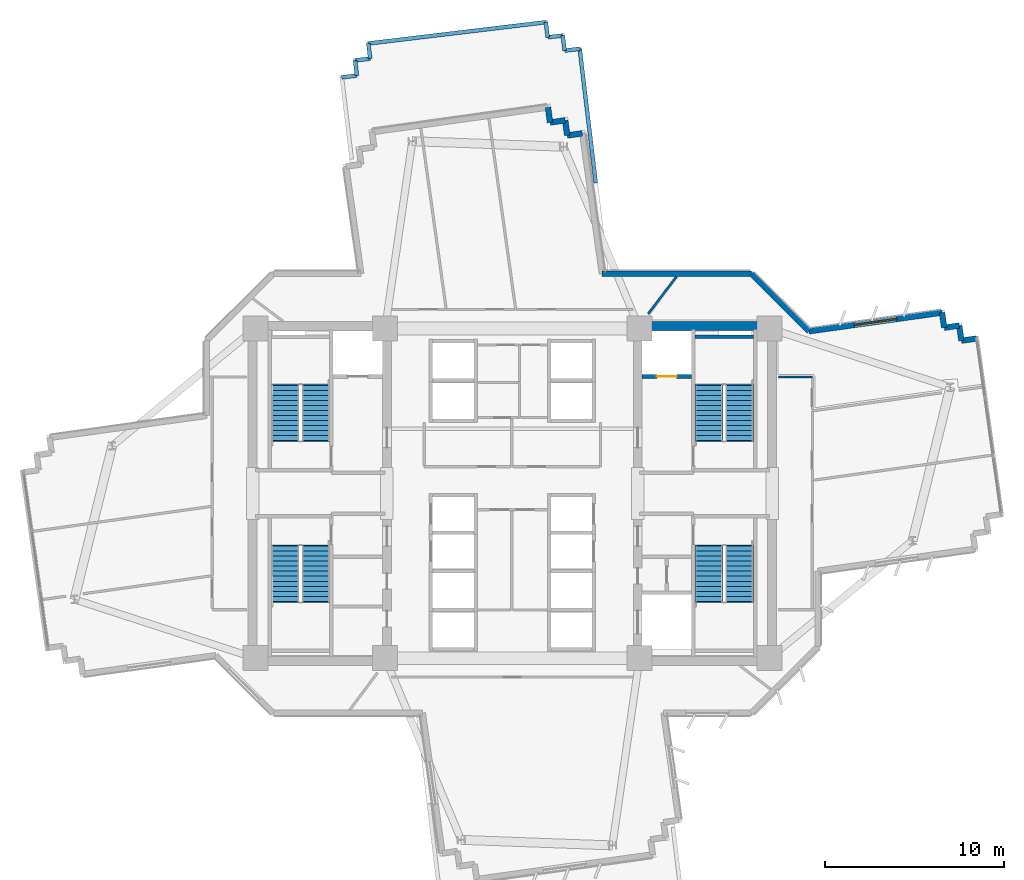
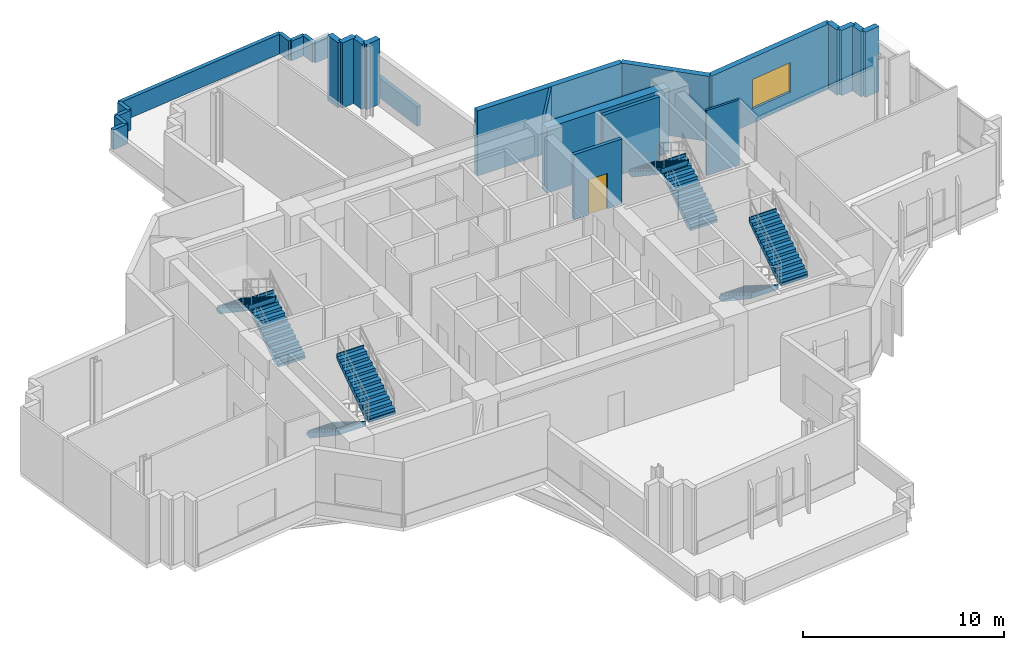
# One storey, part 10 of 13: 26 walls, 8 stair flights, 1 door, 1 window, 2 openings, 4 elements without a shape of their own.
"""IFC4 building model written with IfcOpenShell, lengths in metres."""

import ifcopenshell
import ifcopenshell.guid

model = None  # the IFC model being written
_history = None  # IfcOwnerHistory: only IFC2X3 demands one
_inside = {}  # id of a spatial element -> (the spatial element, [elements in it])
_under = {}  # id of a project, library or spatial element -> (it, [spatial elements below it])
_declared = {}  # id of a project -> (the project, [libraries it declares])
_typed = {}  # id of a type object -> (the type object, [elements of that type])
_made_of = {}  # id of a material, layer set ... -> (it, [elements and type objects made of it])


def new_model(schema):
    """Start an empty IFC model of exactly this schema.

    Asked for "IFC4X3", IfcOpenShell would pick the latest addendum, in which some entities
    have other attributes; the version numbers below select the first issue.
    IFC2X3 requires an IfcOwnerHistory on every rooted entity: one is made here for all.
    """
    global model, _history
    if schema == "IFC4X3":
        model = ifcopenshell.file(schema_version=(4, 3, 0, 0))
    else:
        model = ifcopenshell.file(schema=schema)
    _inside.clear()
    _under.clear()
    _declared.clear()
    _typed.clear()
    _made_of.clear()
    _history = None
    if model.schema == "IFC2X3":
        org = make("IfcOrganization", Name="unknown")
        user = make(
            "IfcPersonAndOrganization",
            ThePerson=make("IfcPerson", FamilyName="unknown"),
            TheOrganization=org,
        )
        app = make(
            "IfcApplication",
            ApplicationDeveloper=org,
            Version="unknown",
            ApplicationFullName="unknown",
            ApplicationIdentifier="unknown",
        )
        _history = make(
            "IfcOwnerHistory",
            OwningUser=user,
            OwningApplication=app,
            ChangeAction="ADDED",
            CreationDate=0,
        )
    return model


def make(cls, **values):
    """One entity of the class cls with the attributes given. An attribute that is None is left unset."""
    return model.create_entity(
        cls, **{name: value for name, value in values.items() if value is not None}
    )


def rooted(cls, **values):
    """An entity with a GlobalId (a new one), such as an element, a storey or a relation."""
    return make(cls, GlobalId=ifcopenshell.guid.new(), OwnerHistory=_history, **values)


def si_unit(unit_type, name, prefix=None):
    """IfcSIUnit, for example si_unit("LENGTHUNIT", "METRE", prefix="MILLI")."""
    return make("IfcSIUnit", UnitType=unit_type, Prefix=prefix, Name=name)


def assignment(units):
    """IfcUnitAssignment: the units of a project."""
    return None if units is None else make("IfcUnitAssignment", Units=units)


def point(xyz):
    """IfcCartesianPoint."""
    return None if xyz is None else make("IfcCartesianPoint", Coordinates=xyz)


def direction(xyz):
    """IfcDirection."""
    return None if xyz is None else make("IfcDirection", DirectionRatios=xyz)


def frame(location, z_axis=None, x_axis=None):
    """IfcAxis2Placement3D, a coordinate frame: its origin and axes. An axis left out is left unset."""
    return make(
        "IfcAxis2Placement3D",
        Location=point(location),
        Axis=direction(z_axis),
        RefDirection=direction(x_axis),
    )


def frame_2d(location, x_axis=None):
    """IfcAxis2Placement2D, a coordinate frame in the plane: its origin and x axis."""
    return make(
        "IfcAxis2Placement2D", Location=point(location), RefDirection=direction(x_axis)
    )


def origin():
    """The frame at (0, 0, 0) with its axes left unset."""
    return frame((0.0, 0.0, 0.0))


def place(relative_to, where):
    """IfcLocalPlacement: puts the frame where relative to a parent placement (None: the world)."""
    return make(
        "IfcLocalPlacement", PlacementRelTo=relative_to, RelativePlacement=where
    )


def context(
    kind, dimensions, precision=None, world=None, true_north=None, identifier=None
):
    """IfcGeometricRepresentationContext, for example the 3D "Model" context."""
    return make(
        "IfcGeometricRepresentationContext",
        ContextIdentifier=identifier,
        ContextType=kind,
        CoordinateSpaceDimension=dimensions,
        Precision=precision,
        WorldCoordinateSystem=world,
        TrueNorth=true_north,
    )


def subcontext(parent, identifier, kind, view, scale=None):
    """IfcGeometricRepresentationSubContext, for example "Body" below "Model"."""
    return make(
        "IfcGeometricRepresentationSubContext",
        ContextIdentifier=identifier,
        ContextType=kind,
        ParentContext=parent,
        TargetScale=scale,
        TargetView=view,
    )


def project(units=None, contexts=None):
    """IfcProject with its units and contexts."""
    return rooted(
        "IfcProject",
        Name="project",
        RepresentationContexts=contexts,
        UnitsInContext=assignment(units),
    )


def spatial(cls, under=None, at=None, **own):
    """A site, building, storey or space (cls), placed at a placement, below another one or the project."""
    s = rooted(cls, ObjectPlacement=at, **own)
    if under is not None:
        _under.setdefault(under.id(), (under, []))[1].append(s)
    return s


def polyline(points):
    """IfcPolyline through the points."""
    return make("IfcPolyline", Points=[point(p) for p in points])


def profile(cls, at=None, kind="AREA", **sizes):
    """A parametric profile (cls). Its sizes go by their IFC names, for example OverallWidth=200.0."""
    return make(cls, ProfileType=kind, Position=at, **sizes)


def rectangle(**sizes):
    """IfcRectangleProfileDef."""
    return profile("IfcRectangleProfileDef", **sizes)


def outline(outer, holes=None, kind="AREA"):
    """IfcArbitraryClosedProfileDef: a profile drawn as a closed curve; with holes, ...WithVoids."""
    if holes is None:
        return make("IfcArbitraryClosedProfileDef", ProfileType=kind, OuterCurve=outer)
    return make(
        "IfcArbitraryProfileDefWithVoids",
        ProfileType=kind,
        OuterCurve=outer,
        InnerCurves=holes,
    )


def extrude(swept, where, along, depth):
    """IfcExtrudedAreaSolid: the profile swept, set in the frame where, extruded along a direction by depth."""
    return make(
        "IfcExtrudedAreaSolid",
        SweptArea=swept,
        Position=where,
        ExtrudedDirection=direction(along),
        Depth=depth,
    )


def shape(context_of_items, identifier, shape_type, items):
    """IfcShapeRepresentation: the items that make up one representation, for example the "Body"."""
    return make(
        "IfcShapeRepresentation",
        ContextOfItems=context_of_items,
        RepresentationIdentifier=identifier,
        RepresentationType=shape_type,
        Items=items,
    )


def source(mapping_origin, context_of_items, identifier, shape_type, items):
    """IfcRepresentationMap: a shape defined once, which mapped items show again and again."""
    return make(
        "IfcRepresentationMap",
        MappingOrigin=mapping_origin,
        MappedRepresentation=shape(context_of_items, identifier, shape_type, items),
    )


def transform(
    local_origin,
    x_axis=None,
    y_axis=None,
    z_axis=None,
    scale=None,
    scale2=None,
    scale3=None,
    uniform=True,
):
    """IfcCartesianTransformationOperator3D, or its non-uniform kind. x_axis, y_axis, z_axis: its Axis1, 2, 3."""
    if uniform:
        return make(
            "IfcCartesianTransformationOperator3D",
            Axis1=direction(x_axis),
            Axis2=direction(y_axis),
            LocalOrigin=point(local_origin),
            Scale=scale,
            Axis3=direction(z_axis),
        )
    return make(
        "IfcCartesianTransformationOperator3DnonUniform",
        Axis1=direction(x_axis),
        Axis2=direction(y_axis),
        LocalOrigin=point(local_origin),
        Scale=scale,
        Axis3=direction(z_axis),
        Scale2=scale2,
        Scale3=scale3,
    )


def mapped(mapping_source, mapping_target):
    """IfcMappedItem: shows the shape of a source again, moved by a transform."""
    return make(
        "IfcMappedItem", MappingSource=mapping_source, MappingTarget=mapping_target
    )


def material(Name=None, Category=None):
    """IfcMaterial."""
    return make("IfcMaterial", Name=Name, Category=Category)


def layer(
    of_material, thickness, ventilated=None, Name=None, Category=None, Priority=None
):
    """IfcMaterialLayer: one layer of a wall or slab, of a material (None: an air gap)."""
    return make(
        "IfcMaterialLayer",
        Material=of_material,
        LayerThickness=thickness,
        IsVentilated=ventilated,
        Name=Name,
        Category=Category,
        Priority=Priority,
    )


def layer_set(layers, Name=None):
    """IfcMaterialLayerSet."""
    return make("IfcMaterialLayerSet", MaterialLayers=layers, LayerSetName=Name)


def made_of(thing, what):
    """Note that an element or type object is made of a material, layer set ...; save() writes the relation."""
    if what is not None:
        _made_of.setdefault(what.id(), (what, []))[1].append(thing)
    return thing


def type_object(cls, material=None, **own):
    """A type object (cls), such as IfcWallType, which elements share."""
    return made_of(rooted(cls, **own), material)


def element(
    cls,
    number,
    at=None,
    inside=None,
    cuts=None,
    type_object=None,
    material=None,
    context=None,
    identifier="Body",
    shape_type=None,
    held_by="IfcProductDefinitionShape",
    body=None,
    shapes=None,
    **own,
):
    """One element of the class cls, such as IfcWall. Its Tag is "e" and its number.

    at: its placement. inside: the storey or other place that contains it. cuts: it is an
    opening in that element (IfcRelVoidsElement). A single representation is given by context,
    identifier, shape_type and body (its items); several are given by shapes. held_by: the class
    of the entity that holds the representations. save() writes the other relations.
    """
    e = rooted(cls, Tag="e%d" % number, ObjectPlacement=at, **own)
    if body is not None:
        shapes = [shape(context, identifier, shape_type, body)]
    if shapes is not None:
        e.Representation = make(held_by, Representations=shapes)
    if inside is not None:
        _inside.setdefault(inside.id(), (inside, []))[1].append(e)
    if cuts is not None:
        rooted(
            "IfcRelVoidsElement", RelatingBuildingElement=cuts, RelatedOpeningElement=e
        )
    if type_object is not None:
        _typed.setdefault(type_object.id(), (type_object, []))[1].append(e)
    return made_of(e, material)


def fill(opening, filler):
    """IfcRelFillsElement: the door or window that sits in an opening."""
    return rooted(
        "IfcRelFillsElement",
        RelatingOpeningElement=opening,
        RelatedBuildingElement=filler,
    )


def aggregate(whole, parts):
    """IfcRelAggregates: a whole, such as a stair, and the parts it consists of."""
    return rooted("IfcRelAggregates", RelatingObject=whole, RelatedObjects=parts)


def save(model, path):
    """Write the relations noted so far, then the file.

    IfcRelAggregates (storeys below a building ...), IfcRelContainedInSpatialStructure (elements
    in a storey), IfcRelDefinesByType, IfcRelAssociatesMaterial and IfcRelDeclares: one each for
    every whole, place, type object, material and project.
    """
    for whole, parts in _under.values():
        aggregate(whole, parts)
    for where, things in _inside.values():
        rooted(
            "IfcRelContainedInSpatialStructure",
            RelatedElements=things,
            RelatingStructure=where,
        )
    for kind, things in _typed.values():
        rooted("IfcRelDefinesByType", RelatedObjects=things, RelatingType=kind)
    for what, things in _made_of.values():
        rooted("IfcRelAssociatesMaterial", RelatedObjects=things, RelatingMaterial=what)
    for by, libraries in _declared.values():
        rooted("IfcRelDeclares", RelatingContext=by, RelatedDefinitions=libraries)
    model.write(path)


model = new_model("IFC4")

# Units and contexts
model_context = context("Model", 3, precision=1e-05, world=origin(), true_north=direction((0.0, 1.0)))
body_context = subcontext(model_context, "Body", "Model", "MODEL_VIEW")
ifc_project = project(units=[si_unit("LENGTHUNIT", "METRE"), si_unit("AREAUNIT", "SQUARE_METRE"), si_unit("VOLUMEUNIT", "CUBIC_METRE"), si_unit("PLANEANGLEUNIT", "RADIAN"), si_unit("MASSUNIT", "GRAM", prefix="KILO")], contexts=[model_context])

# Site, building, storey
site_placement = place(None, origin())
site = spatial("IfcSite", under=ifc_project, at=site_placement, CompositionType="ELEMENT")
building_placement = place(site_placement, origin())
building = spatial("IfcBuilding", under=site, at=building_placement, Name="Zahravan Cultural Tower", CompositionType="ELEMENT")
storey_placement = place(building_placement, frame((0.0, 0.0, 117.300048828125)))
storey = spatial("IfcBuildingStorey", under=building, at=storey_placement, Name="L26", CompositionType="ELEMENT", Elevation=117.300048828125)

# Wall, opening, window
ifc_material_1 = material(Name="Precast concrete C40/50", Category="concrete")
ifc_layer_1 = layer(ifc_material_1, 0.320068359375)
ifc_layer_set_1 = layer_set([ifc_layer_1], Name="Precast concrete C40/50")
wall_type_1 = type_object("IfcWallType", Name="EW-TC-320", PredefinedType="SOLIDWALL", material=ifc_layer_set_1)
wall_1_placement = place(storey_placement, frame((52.555908203125, 36.046142578125, 0.0), z_axis=(0.0, 0.0, 1.0), x_axis=(0.990319321248, 0.138807931917, 0.0)))
wall_1 = element("IfcWall", 1, at=wall_1_placement, inside=storey, type_object=wall_type_1, Name="L26 Exterior Masonry Frame Wall 01", PredefinedType="SOLIDWALL", context=body_context, shape_type="SweptSolid", body=[
    extrude(rectangle(XDim=7.508544921875, YDim=0.320068359375, at=frame_2d((3.75439453125, 0.0))), origin(), (0.0, 0.0, 1.0), 3.949951171875),
])
opening_1_placement = place(wall_1_placement, frame((2.553955078125, 0.0, 0.85009765625)))
opening_1 = element("IfcOpeningElement", 2, at=opening_1_placement, cuts=wall_1, Name="Opening WN-01", PredefinedType="OPENING", context=body_context, shape_type="SweptSolid", body=[
    extrude(rectangle(XDim=2.39990234375, YDim=1.800048828125, at=frame_2d((1.199951171875, 0.89990234375))), frame((0.0, 0.169921875, 0.0), z_axis=(0.0, -1.0, 0.0), x_axis=(1.0, 0.0, 0.0)), (0.0, 0.0, 1.0), 0.340087890625),
])
ifc_material_2 = material(Name="Low-E solar-control double glazing", Category="glass")
window_type = type_object("IfcWindowType", Name="WN-REC-2400X1800", PartitioningType="DOUBLE_PANEL_VERTICAL", PredefinedType="WINDOW", material=ifc_material_2)
shared_shape_1 = source(origin(), body_context, "Body", "SweptSolid", [
    extrude(rectangle(XDim=2.39990234375, YDim=1.800048828125, at=frame_2d((1.199951171875, 0.89990234375))), frame((0.0, 0.030029296875, 0.0), z_axis=(0.0, -1.0, 0.0), x_axis=(1.0, 0.0, 0.0)), (0.0, 0.0, 1.0), 0.06005859375),
])
window_placement = place(opening_1_placement, origin())
window = element("IfcWindow", 3, at=window_placement, inside=storey, type_object=window_type, Name="L26 Recessed Solar Window 01", OverallHeight=1.800048828125, OverallWidth=2.39990234375, PartitioningType="DOUBLE_PANEL_VERTICAL", PredefinedType="WINDOW", context=body_context, shape_type="MappedRepresentation", body=[
    mapped(shared_shape_1, transform((0.0, 0.0, 0.0), x_axis=(1.0, 0.0, 0.0), y_axis=(0.0, 1.0, 0.0), z_axis=(0.0, 0.0, 1.0), scale=1.0)),
])
fill(opening_1, window)

# Wall, opening, door
ifc_material_3 = material(Name="Concrete C45/55", Category="concrete")
ifc_layer_2 = layer(ifc_material_3, 0.199951171875)
ifc_layer_set_2 = layer_set([ifc_layer_2], Name="Concrete C45/55")
wall_type_2 = type_object("IfcWallType", Name="W-SHAFT-200", PredefinedType="SOLIDWALL", material=ifc_layer_set_2)
wall_2_placement = place(storey_placement, frame((43.25, 33.52001953125, 0.0), z_axis=(0.0, 0.0, 1.0), x_axis=(1.0, 0.0, 0.0)))
wall_2 = element("IfcWall", 4, at=wall_2_placement, inside=storey, type_object=wall_type_2, Name="L26 Interior Wall 022", PredefinedType="SOLIDWALL", context=body_context, shape_type="SweptSolid", body=[
    extrude(rectangle(XDim=2.75, YDim=0.199951171875, at=frame_2d((1.375, 0.0))), origin(), (0.0, 0.0, 1.0), 3.949951171875),
])
opening_2_placement = place(wall_2_placement, frame((0.820068359375, 0.0, 0.0)))
opening_2 = element("IfcOpeningElement", 5, at=opening_2_placement, cuts=wall_2, Name="Opening LD-L26-02", PredefinedType="OPENING", context=body_context, shape_type="SweptSolid", body=[
    extrude(rectangle(XDim=1.10009765625, YDim=2.14990234375, at=frame_2d((0.550048828125, 1.074951171875))), frame((0.0, 0.10986328125, 0.0), z_axis=(0.0, -1.0, 0.0), x_axis=(1.0, 0.0, 0.0)), (0.0, 0.0, 1.0), 0.219970703125),
])
ifc_material_4 = material(Name="Steel ASTM A572 Grade 50", Category="steel")
door_type = type_object("IfcDoorType", Name="DR-LIFT-1100", OperationType="DOUBLE_DOOR_SLIDING", PredefinedType="DOOR", material=ifc_material_4)
shared_shape_2 = source(origin(), body_context, "Body", "SweptSolid", [
    extrude(rectangle(XDim=1.10009765625, YDim=2.14990234375, at=frame_2d((0.550048828125, 1.074951171875))), frame((0.0, 0.02490234375, 0.0), z_axis=(0.0, -1.0, 0.0), x_axis=(1.0, 0.0, 0.0)), (0.0, 0.0, 1.0), 0.050048828125),
])
door_placement = place(opening_2_placement, origin())
door = element("IfcDoor", 6, at=door_placement, inside=storey, type_object=door_type, Name="L26 Door LD-L26-02", OperationType="DOUBLE_DOOR_SLIDING", OverallHeight=2.14990234375, OverallWidth=1.10009765625, PredefinedType="DOOR", context=body_context, shape_type="MappedRepresentation", body=[
    mapped(shared_shape_2, transform((0.0, 0.0, 0.0), x_axis=(1.0, 0.0, 0.0), y_axis=(0.0, 1.0, 0.0), z_axis=(0.0, 0.0, 1.0), scale=1.0)),
])
fill(opening_2, door)

# Walls
ifc_material_5 = material(Name="Concrete C60/75", Category="concrete")
ifc_layer_3 = layer(ifc_material_5, 0.5)
ifc_layer_set_3 = layer_set([ifc_layer_3], Name="Concrete C60/75")
wall_type_3 = type_object("IfcWallType", Name="CW-SHEAR-500-C60", PredefinedType="SHEAR", material=ifc_layer_set_3)
shared_shape_3 = source(origin(), body_context, "Body", "SweptSolid", [
    extrude(rectangle(XDim=7.0, YDim=0.5, at=frame_2d((3.5, 0.0))), origin(), (0.0, 0.0, 1.0), 3.949951171875),
])
wall_3_placement = place(storey_placement, frame((43.25, 36.35009765625, 0.0), z_axis=(0.0, 0.0, 1.0), x_axis=(1.0, 0.0, 0.0)))
element("IfcWall", 7, at=wall_3_placement, inside=storey, type_object=wall_type_3, Name="L26 Core Shear Wall CW-E-N-L26", PredefinedType="SHEAR", context=body_context, shape_type="MappedRepresentation", body=[
    mapped(shared_shape_3, transform((0.0, 0.0, 0.0), x_axis=(1.0, 0.0, 0.0), y_axis=(0.0, 1.0, 0.0), z_axis=(0.0, 0.0, 1.0), scale=1.0)),
])
shared_shape_4 = source(origin(), body_context, "Body", "SweptSolid", [
    extrude(rectangle(XDim=0.849853515625, YDim=0.320068359375, at=frame_2d((0.4248046875, 0.0))), origin(), (0.0, 0.0, 1.0), 3.949951171875),
])
wall_4_placement = place(storey_placement, frame((60.95166015625, 36.364501953125, 0.0), z_axis=(0.0, 0.0, 1.0), x_axis=(0.138766190202, -0.990325171071, 0.0)))
element("IfcWall", 8, at=wall_4_placement, inside=storey, type_object=wall_type_1, Name="L26 Exterior Masonry Frame Wall 04", PredefinedType="SOLIDWALL", context=body_context, shape_type="MappedRepresentation", body=[
    mapped(shared_shape_4, transform((0.0, 0.0, 0.0), x_axis=(1.0, 0.0, 0.0), y_axis=(0.0, 1.0, 0.0), z_axis=(0.0, 0.0, 1.0), scale=1.0)),
])
shared_shape_5 = source(origin(), body_context, "Body", "SweptSolid", [
    extrude(rectangle(XDim=0.85009765625, YDim=0.320068359375, at=frame_2d((0.425048828125, 0.0))), origin(), (0.0, 0.0, 1.0), 3.949951171875),
])
for number, where, z_axis, x_axis, name in (
    (9, (59.99169921875, 37.08837890625, 0.0), (0.0, 0.0, 1.0), (0.139008393902, -0.990291202841, 0.0), "L26 Exterior Masonry Frame Wall 02"),
    (10, (60.10986328125, 36.24658203125, 0.0), (0.0, 0.0, 1.0), (0.990330700987, 0.138726719425, 0.0), "L26 Exterior Masonry Frame Wall 03"),
    (11, (61.069580078125, 35.52294921875, 0.0), (0.0, 0.0, 1.0), (0.990330700987, 0.138726719425, 0.0), "L26 Exterior Masonry Frame Wall 05"),
    (12, (37.98828125, 48.544677734375, 0.0), (0.0, 0.0, 1.0), (0.138726719425, -0.990330700987, 0.0), "L26 Exterior Masonry Frame Wall 46"),
    (13, (38.106201171875, 47.702880859375, 0.0), (0.0, 0.0, 1.0), (0.990330700987, 0.138726719425, 0.0), "L26 Exterior Masonry Frame Wall 47"),
    (14, (38.947998046875, 47.82080078125, 0.0), (0.0, 0.0, 1.0), (0.138726719425, -0.990330700987, 0.0), "L26 Exterior Masonry Frame Wall 48"),
    (15, (39.06591796875, 46.97900390625, 0.0), (0.0, 0.0, 1.0), (0.990291202841, 0.139008393902, 0.0), "L26 Exterior Masonry Frame Wall 49"),
):
    element("IfcWall", number, at=place(storey_placement, frame(where, z_axis=z_axis, x_axis=x_axis)), inside=storey, type_object=wall_type_1, Name=name, PredefinedType="SOLIDWALL", context=body_context, shape_type="MappedRepresentation", body=[
        mapped(shared_shape_5, transform((0.0, 0.0, 0.0), x_axis=(1.0, 0.0, 0.0), y_axis=(0.0, 1.0, 0.0), z_axis=(0.0, 0.0, 1.0), scale=1.0)),
    ])
ifc_layer_4 = layer(ifc_material_1, 0.219970703125)
ifc_layer_set_4 = layer_set([ifc_layer_4], Name="Precast concrete C40/50")
wall_type_4 = type_object("IfcWallType", Name="EW-PARAPET-220", PredefinedType="PARAPET", material=ifc_layer_set_4)
shared_shape_6 = source(origin(), body_context, "Body", "SweptSolid", [
    extrude(rectangle(XDim=0.85009765625, YDim=0.219970703125, at=frame_2d((0.425048828125, 0.0))), origin(), (0.0, 0.0, 1.0), 1.199951171875),
])
for number, where, z_axis, x_axis, name in (
    (16, (27.320556640625, 50.322265625, 0.0), (0.0, 0.0, 1.0), (-0.118907380694, 0.992905350382, 0.0), "L26 Setback Roof Parapet 1"),
    (17, (28.063232421875, 51.267578125, 0.0), (0.0, 0.0, 1.0), (-0.118907380694, 0.992905350382, 0.0), "L26 Setback Roof Parapet 3"),
    (18, (37.87109375, 53.300048828125, 0.0), (0.0, 0.0, 1.0), (0.119190521137, -0.992871401376, 0.0), "L26 Setback Roof Parapet 5"),
    (19, (37.972412109375, 52.4560546875, 0.0), (0.0, 0.0, 1.0), (0.992871401376, 0.119190521137, 0.0), "L26 Setback Roof Parapet 6"),
    (20, (38.81640625, 52.557373046875, 0.0), (0.0, 0.0, 1.0), (0.118907380694, -0.992905350382, 0.0), "L26 Setback Roof Parapet 7"),
    (21, (38.91748046875, 51.71337890625, 0.0), (0.0, 0.0, 1.0), (0.992871401376, 0.119190521137, 0.0), "L26 Setback Roof Parapet 8"),
    (22, (26.4765625, 50.22119140625, 0.0), (0.0, 0.0, 1.0), (0.992905350382, 0.118907380694, 0.0), "L26 Setback Roof Parapet 11"),
):
    element("IfcWall", number, at=place(storey_placement, frame(where, z_axis=z_axis, x_axis=x_axis)), inside=storey, type_object=wall_type_4, Name=name, PredefinedType="PARAPET", context=body_context, shape_type="MappedRepresentation", body=[
        mapped(shared_shape_6, transform((0.0, 0.0, 0.0), x_axis=(1.0, 0.0, 0.0), y_axis=(0.0, 1.0, 0.0), z_axis=(0.0, 0.0, 1.0), scale=1.0)),
    ])
shared_shape_7 = source(origin(), body_context, "Body", "SweptSolid", [
    extrude(rectangle(XDim=0.849853515625, YDim=0.219970703125, at=frame_2d((0.4248046875, 0.0))), origin(), (0.0, 0.0, 1.0), 1.199951171875),
])
wall_5_placement = place(storey_placement, frame((27.219482421875, 51.166259765625, 0.0), z_axis=(0.0, 0.0, 1.0), x_axis=(0.992867319472, 0.119224518976, 0.0)))
element("IfcWall", 23, at=wall_5_placement, inside=storey, type_object=wall_type_4, Name="L26 Setback Roof Parapet 2", PredefinedType="PARAPET", context=body_context, shape_type="MappedRepresentation", body=[
    mapped(shared_shape_7, transform((0.0, 0.0, 0.0), x_axis=(1.0, 0.0, 0.0), y_axis=(0.0, 1.0, 0.0), z_axis=(0.0, 0.0, 1.0), scale=1.0)),
])
shared_shape_8 = source(origin(), body_context, "Body", "SweptSolid", [
    extrude(rectangle(XDim=9.97998046875, YDim=0.219970703125, at=frame_2d((4.989990234375, 0.0))), origin(), (0.0, 0.0, 1.0), 1.199951171875),
])
wall_6_placement = place(storey_placement, frame((27.962158203125, 52.111572265625, 0.0), z_axis=(0.0, 0.0, 1.0), x_axis=(0.992883897859, 0.119086377776, 0.0)))
element("IfcWall", 24, at=wall_6_placement, inside=storey, type_object=wall_type_4, Name="L26 Setback Roof Parapet 4", PredefinedType="PARAPET", context=body_context, shape_type="MappedRepresentation", body=[
    mapped(shared_shape_8, transform((0.0, 0.0, 0.0), x_axis=(1.0, 0.0, 0.0), y_axis=(0.0, 1.0, 0.0), z_axis=(0.0, 0.0, 1.0), scale=1.0)),
])
shared_shape_9 = source(origin(), body_context, "Body", "SweptSolid", [
    extrude(rectangle(XDim=7.534912109375, YDim=0.219970703125, at=frame_2d((3.767578125, 0.0))), origin(), (0.0, 0.0, 1.0), 1.199951171875),
])
wall_7_placement = place(storey_placement, frame((39.761474609375, 51.814697265625, 0.0), z_axis=(0.0, 0.0, 1.0), x_axis=(0.119076226187, -0.992885115387, 0.0)))
element("IfcWall", 25, at=wall_7_placement, inside=storey, type_object=wall_type_4, Name="L26 Setback Roof Parapet 9", PredefinedType="PARAPET", context=body_context, shape_type="MappedRepresentation", body=[
    mapped(shared_shape_9, transform((0.0, 0.0, 0.0), x_axis=(1.0, 0.0, 0.0), y_axis=(0.0, 1.0, 0.0), z_axis=(0.0, 0.0, 1.0), scale=1.0)),
])
shared_shape_10 = source(origin(), body_context, "Body", "SweptSolid", [
    extrude(rectangle(XDim=8.33544921875, YDim=0.320068359375, at=frame_2d((4.167724609375, 0.0))), origin(), (0.0, 0.0, 1.0), 3.949951171875),
])
wall_8_placement = place(storey_placement, frame((41.006591796875, 39.260009765625, 0.0), z_axis=(0.0, 0.0, 1.0), x_axis=(1.0, 0.0, 0.0)))
element("IfcWall", 26, at=wall_8_placement, inside=storey, type_object=wall_type_1, Name="L26 Exterior Masonry Frame Wall 51", PredefinedType="SOLIDWALL", context=body_context, shape_type="MappedRepresentation", body=[
    mapped(shared_shape_10, transform((0.0, 0.0, 0.0), x_axis=(1.0, 0.0, 0.0), y_axis=(0.0, 1.0, 0.0), z_axis=(0.0, 0.0, 1.0), scale=1.0)),
])
shared_shape_11 = source(origin(), body_context, "Body", "SweptSolid", [
    extrude(rectangle(XDim=4.545166015625, YDim=0.320068359375, at=frame_2d((2.2724609375, 0.0))), origin(), (0.0, 0.0, 1.0), 3.949951171875),
])
wall_9_placement = place(storey_placement, frame((49.342041015625, 39.260009765625, 0.0), z_axis=(0.0, 0.0, 1.0), x_axis=(0.707106781187, -0.707106781187, 0.0)))
element("IfcWall", 27, at=wall_9_placement, inside=storey, type_object=wall_type_1, Name="L26 Exterior Masonry Frame Wall 52", PredefinedType="SOLIDWALL", context=body_context, shape_type="MappedRepresentation", body=[
    mapped(shared_shape_11, transform((0.0, 0.0, 0.0), x_axis=(1.0, 0.0, 0.0), y_axis=(0.0, 1.0, 0.0), z_axis=(0.0, 0.0, 1.0), scale=1.0)),
])
shared_shape_12 = source(origin(), body_context, "Body", "SweptSolid", [
    extrude(rectangle(XDim=3.25, YDim=0.199951171875, at=frame_2d((1.625, 0.0))), origin(), (0.0, 0.0, 1.0), 3.949951171875),
])
wall_10_placement = place(storey_placement, frame((46.199951171875, 35.75, 0.0), z_axis=(0.0, 0.0, 1.0), x_axis=(1.0, 0.0, 0.0)))
element("IfcWall", 28, at=wall_10_placement, inside=storey, type_object=wall_type_2, Name="L26 Interior Wall 018", PredefinedType="SOLIDWALL", context=body_context, shape_type="MappedRepresentation", body=[
    mapped(shared_shape_12, transform((0.0, 0.0, 0.0), x_axis=(1.0, 0.0, 0.0), y_axis=(0.0, 1.0, 0.0), z_axis=(0.0, 0.0, 1.0), scale=1.0)),
])
ifc_material_6 = material(Name="Gypsum plasterboard partition")
ifc_layer_5 = layer(ifc_material_6, 0.125)
ifc_layer_set_5 = layer_set([ifc_layer_5], Name="Gypsum plasterboard partition")
wall_type_5 = type_object("IfcWallType", Name="W-PART-125", PredefinedType="PARTITIONING", material=ifc_layer_set_5)
shared_shape_13 = source(origin(), body_context, "Body", "SweptSolid", [
    extrude(rectangle(XDim=1.891357421875, YDim=0.125, at=frame_2d((0.94580078125, 0.0))), origin(), (0.0, 0.0, 1.0), 3.949951171875),
])
wall_11_placement = place(storey_placement, frame((52.7490234375, 33.4990234375, 0.0), z_axis=(0.0, 0.0, 1.0), x_axis=(-0.99999992502, 0.000387246647, 0.0)))
element("IfcWall", 29, at=wall_11_placement, inside=storey, type_object=wall_type_5, Name="L26 Interior Wall 108", PredefinedType="PARTITIONING", context=body_context, shape_type="MappedRepresentation", body=[
    mapped(shared_shape_13, transform((0.0, 0.0, 0.0), x_axis=(1.0, 0.0, 0.0), y_axis=(0.0, 1.0, 0.0), z_axis=(0.0, 0.0, 1.0), scale=1.0)),
])
shared_shape_14 = source(origin(), body_context, "Body", "SweptSolid", [
    extrude(rectangle(XDim=2.608154296875, YDim=0.125, at=frame_2d((1.30419921875, 0.0))), origin(), (0.0, 0.0, 1.0), 3.949951171875),
])
wall_12_placement = place(storey_placement, frame((45.162109375, 39.094970703125, 0.0), z_axis=(0.0, 0.0, 1.0), x_axis=(-0.605840128894, -0.795586411537, 0.0)))
element("IfcWall", 30, at=wall_12_placement, inside=storey, type_object=wall_type_5, Name="L26 Interior Wall 106", PredefinedType="PARTITIONING", context=body_context, shape_type="MappedRepresentation", body=[
    mapped(shared_shape_14, transform((0.0, 0.0, 0.0), x_axis=(1.0, 0.0, 0.0), y_axis=(0.0, 1.0, 0.0), z_axis=(0.0, 0.0, 1.0), scale=1.0)),
])

# Stair, stair flights
stair_type = type_object("IfcStairType", Name="STR-DL-1550-420", PredefinedType="HALF_TURN_STAIR", material=ifc_material_3)
stair_1_placement = place(storey_placement, origin())
stair_1 = element("IfcStair", 31, at=stair_1_placement, inside=storey, type_object=stair_type, Name="L26 West Core North Exit Stair ST-W1", PredefinedType="HALF_TURN_STAIR")
stair_flight_type = type_object("IfcStairFlightType", Name="FLG-DL-1550-420", PredefinedType="STRAIGHT", material=ifc_material_3)
stair_flight_1_placement = place(storey_placement, frame((25.02490234375, 29.949951171875, 0.0), z_axis=(0.0, 0.0, 1.0), x_axis=(0.0, 1.0, 0.0)))
stair_flight_1 = element("IfcStairFlight", 32, at=stair_flight_1_placement, type_object=stair_flight_type, Name="ST-W1 flight 1", NumberOfRisers=12, NumberOfTreads=11, PredefinedType="STRAIGHT", RiserHeight=0.175, TreadLength=0.28, context=body_context, shape_type="SweptSolid", body=[
    extrude(outline(polyline([(-0.06494140625, -0.139892578125), (-0.06494140625, 0.0), (0.0, 0.0), (0.0, 0.175048828125), (0.280029296875, 0.175048828125), (0.280029296875, 0.35009765625), (0.56005859375, 0.35009765625), (0.56005859375, 0.52490234375), (0.840087890625, 0.52490234375), (0.840087890625, 0.699951171875), (1.1201171875, 0.699951171875), (1.1201171875, 0.875), (1.39990234375, 0.875), (1.39990234375, 1.050048828125), (1.679931640625, 1.050048828125), (1.679931640625, 1.22509765625), (1.9599609375, 1.22509765625), (1.9599609375, 1.39990234375), (2.239990234375, 1.39990234375), (2.239990234375, 1.574951171875), (2.52001953125, 1.574951171875), (2.52001953125, 1.75), (2.800048828125, 1.75), (2.800048828125, 1.925048828125), (3.080078125, 1.925048828125), (3.080078125, 2.10009765625), (3.14501953125, 2.10009765625), (3.14501953125, 1.9501953125), (3.080078125, 1.748291015625), (0.28271484375, -0.139892578125), (-0.06494140625, -0.139892578125)])), frame((0.0, 0.77490234375, 0.0), z_axis=(0.0, -1.0, 0.0), x_axis=(1.0, 0.0, 0.0)), (0.0, 0.0, 1.0), 1.550048828125),
])
stair_flight_2_placement = place(storey_placement, frame((23.324951171875, 33.030029296875, 2.099853515625), z_axis=(0.0, 0.0, 1.0), x_axis=(0.0, -1.0, 0.0)))
stair_flight_2 = element("IfcStairFlight", 33, at=stair_flight_2_placement, type_object=stair_flight_type, Name="ST-W1 flight 2", NumberOfRisers=12, NumberOfTreads=11, PredefinedType="STRAIGHT", RiserHeight=0.175, TreadLength=0.28, context=body_context, shape_type="SweptSolid", body=[
    extrude(outline(polyline([(-0.06494140625, -0.139892578125), (-0.06494140625, 0.0), (0.0, 0.0), (0.0, 0.175048828125), (0.280029296875, 0.175048828125), (0.280029296875, 0.35009765625), (0.56005859375, 0.35009765625), (0.56005859375, 0.52490234375), (0.840087890625, 0.52490234375), (0.840087890625, 0.699951171875), (1.1201171875, 0.699951171875), (1.1201171875, 0.875), (1.39990234375, 0.875), (1.39990234375, 1.050048828125), (1.679931640625, 1.050048828125), (1.679931640625, 1.22509765625), (1.9599609375, 1.22509765625), (1.9599609375, 1.39990234375), (2.239990234375, 1.39990234375), (2.239990234375, 1.574951171875), (2.52001953125, 1.574951171875), (2.52001953125, 1.75), (2.800048828125, 1.75), (2.800048828125, 1.925048828125), (3.080078125, 1.925048828125), (3.080078125, 2.10009765625), (3.14501953125, 2.10009765625), (3.14501953125, 1.9501953125), (3.080078125, 1.748291015625), (0.28271484375, -0.139892578125), (-0.06494140625, -0.139892578125)])), frame((0.0, 0.77490234375, 0.0), z_axis=(0.0, -1.0, 0.0), x_axis=(1.0, 0.0, 0.0)), (0.0, 0.0, 1.0), 1.550048828125),
])
aggregate(stair_1, [stair_flight_1, stair_flight_2])

stair_2_placement = place(storey_placement, origin())
stair_2 = element("IfcStair", 34, at=stair_2_placement, inside=storey, type_object=stair_type, Name="L26 West Core South Exit Stair ST-W2", PredefinedType="HALF_TURN_STAIR")
stair_flight_3_placement = place(storey_placement, frame((23.324951171875, 24.050048828125, 0.0), z_axis=(0.0, 0.0, 1.0), x_axis=(0.0, -1.0, 0.0)))
stair_flight_3 = element("IfcStairFlight", 35, at=stair_flight_3_placement, type_object=stair_flight_type, Name="ST-W2 flight 1", NumberOfRisers=12, NumberOfTreads=11, PredefinedType="STRAIGHT", RiserHeight=0.175, TreadLength=0.28, context=body_context, shape_type="SweptSolid", body=[
    extrude(outline(polyline([(-0.06494140625, -0.139892578125), (-0.06494140625, 0.0), (0.0, 0.0), (0.0, 0.175048828125), (0.280029296875, 0.175048828125), (0.280029296875, 0.35009765625), (0.56005859375, 0.35009765625), (0.56005859375, 0.52490234375), (0.840087890625, 0.52490234375), (0.840087890625, 0.699951171875), (1.1201171875, 0.699951171875), (1.1201171875, 0.875), (1.39990234375, 0.875), (1.39990234375, 1.050048828125), (1.679931640625, 1.050048828125), (1.679931640625, 1.22509765625), (1.9599609375, 1.22509765625), (1.9599609375, 1.39990234375), (2.239990234375, 1.39990234375), (2.239990234375, 1.574951171875), (2.52001953125, 1.574951171875), (2.52001953125, 1.75), (2.800048828125, 1.75), (2.800048828125, 1.925048828125), (3.080078125, 1.925048828125), (3.080078125, 2.10009765625), (3.14501953125, 2.10009765625), (3.14501953125, 1.9501953125), (3.080078125, 1.748291015625), (0.28271484375, -0.139892578125), (-0.06494140625, -0.139892578125)])), frame((0.0, 0.77490234375, 0.0), z_axis=(0.0, -1.0, 0.0), x_axis=(1.0, 0.0, 0.0)), (0.0, 0.0, 1.0), 1.550048828125),
])
stair_flight_4_placement = place(storey_placement, frame((25.02490234375, 20.969970703125, 2.099853515625), z_axis=(0.0, 0.0, 1.0), x_axis=(0.0, 1.0, 0.0)))
stair_flight_4 = element("IfcStairFlight", 36, at=stair_flight_4_placement, type_object=stair_flight_type, Name="ST-W2 flight 2", NumberOfRisers=12, NumberOfTreads=11, PredefinedType="STRAIGHT", RiserHeight=0.175, TreadLength=0.28, context=body_context, shape_type="SweptSolid", body=[
    extrude(outline(polyline([(-0.06494140625, -0.139892578125), (-0.06494140625, 0.0), (0.0, 0.0), (0.0, 0.175048828125), (0.280029296875, 0.175048828125), (0.280029296875, 0.35009765625), (0.56005859375, 0.35009765625), (0.56005859375, 0.52490234375), (0.840087890625, 0.52490234375), (0.840087890625, 0.699951171875), (1.1201171875, 0.699951171875), (1.1201171875, 0.875), (1.39990234375, 0.875), (1.39990234375, 1.050048828125), (1.679931640625, 1.050048828125), (1.679931640625, 1.22509765625), (1.9599609375, 1.22509765625), (1.9599609375, 1.39990234375), (2.239990234375, 1.39990234375), (2.239990234375, 1.574951171875), (2.52001953125, 1.574951171875), (2.52001953125, 1.75), (2.800048828125, 1.75), (2.800048828125, 1.925048828125), (3.080078125, 1.925048828125), (3.080078125, 2.10009765625), (3.14501953125, 2.10009765625), (3.14501953125, 1.9501953125), (3.080078125, 1.748291015625), (0.28271484375, -0.139892578125), (-0.06494140625, -0.139892578125)])), frame((0.0, 0.77490234375, 0.0), z_axis=(0.0, -1.0, 0.0), x_axis=(1.0, 0.0, 0.0)), (0.0, 0.0, 1.0), 1.550048828125),
])
aggregate(stair_2, [stair_flight_3, stair_flight_4])

stair_3_placement = place(storey_placement, origin())
stair_3 = element("IfcStair", 37, at=stair_3_placement, inside=storey, type_object=stair_type, Name="L26 East Core North Exit Stair ST-E1", PredefinedType="HALF_TURN_STAIR")
stair_flight_5_placement = place(storey_placement, frame((48.675048828125, 29.949951171875, 0.0), z_axis=(0.0, 0.0, 1.0), x_axis=(0.0, 1.0, 0.0)))
stair_flight_5 = element("IfcStairFlight", 38, at=stair_flight_5_placement, type_object=stair_flight_type, Name="ST-E1 flight 1", NumberOfRisers=12, NumberOfTreads=11, PredefinedType="STRAIGHT", RiserHeight=0.175, TreadLength=0.28, context=body_context, shape_type="SweptSolid", body=[
    extrude(outline(polyline([(-0.06494140625, -0.139892578125), (-0.06494140625, 0.0), (0.0, 0.0), (0.0, 0.175048828125), (0.280029296875, 0.175048828125), (0.280029296875, 0.35009765625), (0.56005859375, 0.35009765625), (0.56005859375, 0.52490234375), (0.840087890625, 0.52490234375), (0.840087890625, 0.699951171875), (1.1201171875, 0.699951171875), (1.1201171875, 0.875), (1.39990234375, 0.875), (1.39990234375, 1.050048828125), (1.679931640625, 1.050048828125), (1.679931640625, 1.22509765625), (1.9599609375, 1.22509765625), (1.9599609375, 1.39990234375), (2.239990234375, 1.39990234375), (2.239990234375, 1.574951171875), (2.52001953125, 1.574951171875), (2.52001953125, 1.75), (2.800048828125, 1.75), (2.800048828125, 1.925048828125), (3.080078125, 1.925048828125), (3.080078125, 2.10009765625), (3.14501953125, 2.10009765625), (3.14501953125, 1.9501953125), (3.080078125, 1.748291015625), (0.28271484375, -0.139892578125), (-0.06494140625, -0.139892578125)])), frame((0.0, 0.77490234375, 0.0), z_axis=(0.0, -1.0, 0.0), x_axis=(1.0, 0.0, 0.0)), (0.0, 0.0, 1.0), 1.550048828125),
])
stair_flight_6_placement = place(storey_placement, frame((46.97509765625, 33.030029296875, 2.099853515625), z_axis=(0.0, 0.0, 1.0), x_axis=(0.0, -1.0, 0.0)))
stair_flight_6 = element("IfcStairFlight", 39, at=stair_flight_6_placement, type_object=stair_flight_type, Name="ST-E1 flight 2", NumberOfRisers=12, NumberOfTreads=11, PredefinedType="STRAIGHT", RiserHeight=0.175, TreadLength=0.28, context=body_context, shape_type="SweptSolid", body=[
    extrude(outline(polyline([(-0.06494140625, -0.139892578125), (-0.06494140625, 0.0), (0.0, 0.0), (0.0, 0.175048828125), (0.280029296875, 0.175048828125), (0.280029296875, 0.35009765625), (0.56005859375, 0.35009765625), (0.56005859375, 0.52490234375), (0.840087890625, 0.52490234375), (0.840087890625, 0.699951171875), (1.1201171875, 0.699951171875), (1.1201171875, 0.875), (1.39990234375, 0.875), (1.39990234375, 1.050048828125), (1.679931640625, 1.050048828125), (1.679931640625, 1.22509765625), (1.9599609375, 1.22509765625), (1.9599609375, 1.39990234375), (2.239990234375, 1.39990234375), (2.239990234375, 1.574951171875), (2.52001953125, 1.574951171875), (2.52001953125, 1.75), (2.800048828125, 1.75), (2.800048828125, 1.925048828125), (3.080078125, 1.925048828125), (3.080078125, 2.10009765625), (3.14501953125, 2.10009765625), (3.14501953125, 1.9501953125), (3.080078125, 1.748291015625), (0.28271484375, -0.139892578125), (-0.06494140625, -0.139892578125)])), frame((0.0, 0.77490234375, 0.0), z_axis=(0.0, -1.0, 0.0), x_axis=(1.0, 0.0, 0.0)), (0.0, 0.0, 1.0), 1.550048828125),
])
aggregate(stair_3, [stair_flight_5, stair_flight_6])

stair_4_placement = place(storey_placement, origin())
stair_4 = element("IfcStair", 40, at=stair_4_placement, inside=storey, type_object=stair_type, Name="L26 East Core South Exit Stair ST-E2", PredefinedType="HALF_TURN_STAIR")
stair_flight_7_placement = place(storey_placement, frame((46.97509765625, 24.050048828125, 0.0), z_axis=(0.0, 0.0, 1.0), x_axis=(0.0, -1.0, 0.0)))
stair_flight_7 = element("IfcStairFlight", 41, at=stair_flight_7_placement, type_object=stair_flight_type, Name="ST-E2 flight 1", NumberOfRisers=12, NumberOfTreads=11, PredefinedType="STRAIGHT", RiserHeight=0.175, TreadLength=0.28, context=body_context, shape_type="SweptSolid", body=[
    extrude(outline(polyline([(-0.06494140625, -0.139892578125), (-0.06494140625, 0.0), (0.0, 0.0), (0.0, 0.175048828125), (0.280029296875, 0.175048828125), (0.280029296875, 0.35009765625), (0.56005859375, 0.35009765625), (0.56005859375, 0.52490234375), (0.840087890625, 0.52490234375), (0.840087890625, 0.699951171875), (1.1201171875, 0.699951171875), (1.1201171875, 0.875), (1.39990234375, 0.875), (1.39990234375, 1.050048828125), (1.679931640625, 1.050048828125), (1.679931640625, 1.22509765625), (1.9599609375, 1.22509765625), (1.9599609375, 1.39990234375), (2.239990234375, 1.39990234375), (2.239990234375, 1.574951171875), (2.52001953125, 1.574951171875), (2.52001953125, 1.75), (2.800048828125, 1.75), (2.800048828125, 1.925048828125), (3.080078125, 1.925048828125), (3.080078125, 2.10009765625), (3.14501953125, 2.10009765625), (3.14501953125, 1.9501953125), (3.080078125, 1.748291015625), (0.28271484375, -0.139892578125), (-0.06494140625, -0.139892578125)])), frame((0.0, 0.77490234375, 0.0), z_axis=(0.0, -1.0, 0.0), x_axis=(1.0, 0.0, 0.0)), (0.0, 0.0, 1.0), 1.550048828125),
])
stair_flight_8_placement = place(storey_placement, frame((48.675048828125, 20.969970703125, 2.099853515625), z_axis=(0.0, 0.0, 1.0), x_axis=(0.0, 1.0, 0.0)))
stair_flight_8 = element("IfcStairFlight", 42, at=stair_flight_8_placement, type_object=stair_flight_type, Name="ST-E2 flight 2", NumberOfRisers=12, NumberOfTreads=11, PredefinedType="STRAIGHT", RiserHeight=0.175, TreadLength=0.28, context=body_context, shape_type="SweptSolid", body=[
    extrude(outline(polyline([(-0.06494140625, -0.139892578125), (-0.06494140625, 0.0), (0.0, 0.0), (0.0, 0.175048828125), (0.280029296875, 0.175048828125), (0.280029296875, 0.35009765625), (0.56005859375, 0.35009765625), (0.56005859375, 0.52490234375), (0.840087890625, 0.52490234375), (0.840087890625, 0.699951171875), (1.1201171875, 0.699951171875), (1.1201171875, 0.875), (1.39990234375, 0.875), (1.39990234375, 1.050048828125), (1.679931640625, 1.050048828125), (1.679931640625, 1.22509765625), (1.9599609375, 1.22509765625), (1.9599609375, 1.39990234375), (2.239990234375, 1.39990234375), (2.239990234375, 1.574951171875), (2.52001953125, 1.574951171875), (2.52001953125, 1.75), (2.800048828125, 1.75), (2.800048828125, 1.925048828125), (3.080078125, 1.925048828125), (3.080078125, 2.10009765625), (3.14501953125, 2.10009765625), (3.14501953125, 1.9501953125), (3.080078125, 1.748291015625), (0.28271484375, -0.139892578125), (-0.06494140625, -0.139892578125)])), frame((0.0, 0.77490234375, 0.0), z_axis=(0.0, -1.0, 0.0), x_axis=(1.0, 0.0, 0.0)), (0.0, 0.0, 1.0), 1.550048828125),
])
aggregate(stair_4, [stair_flight_7, stair_flight_8])

save(model, "model.ifc")
